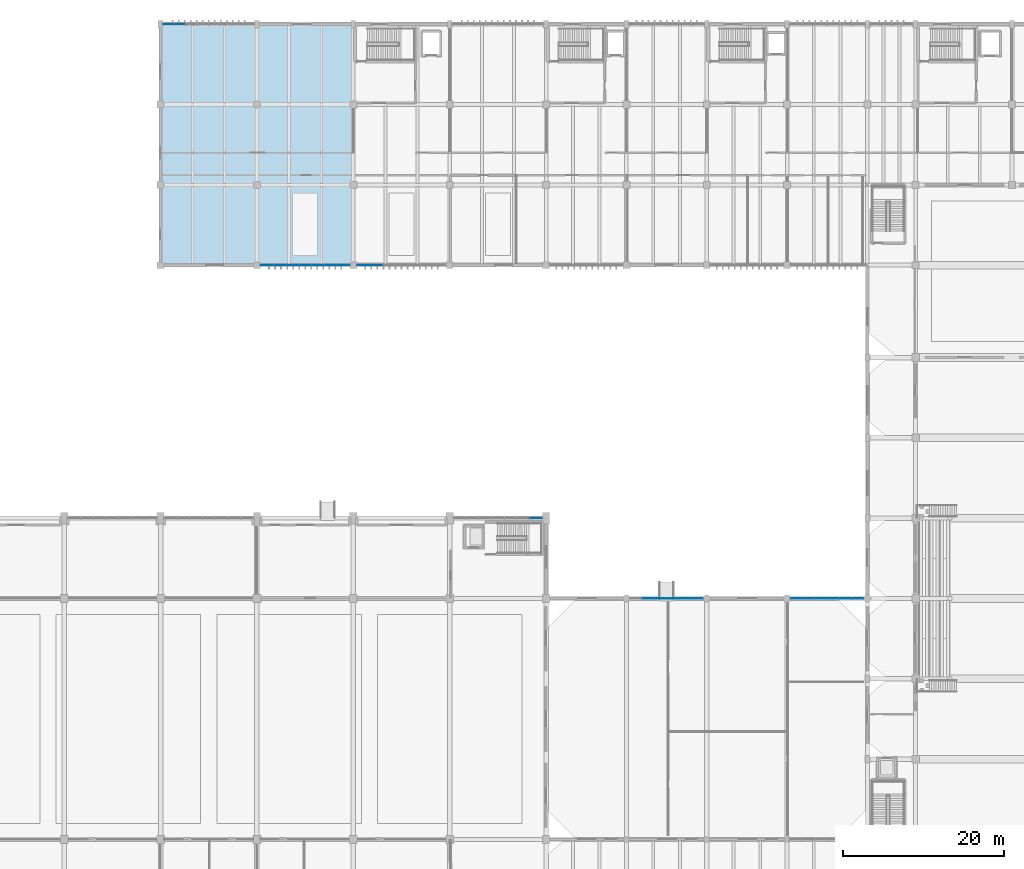
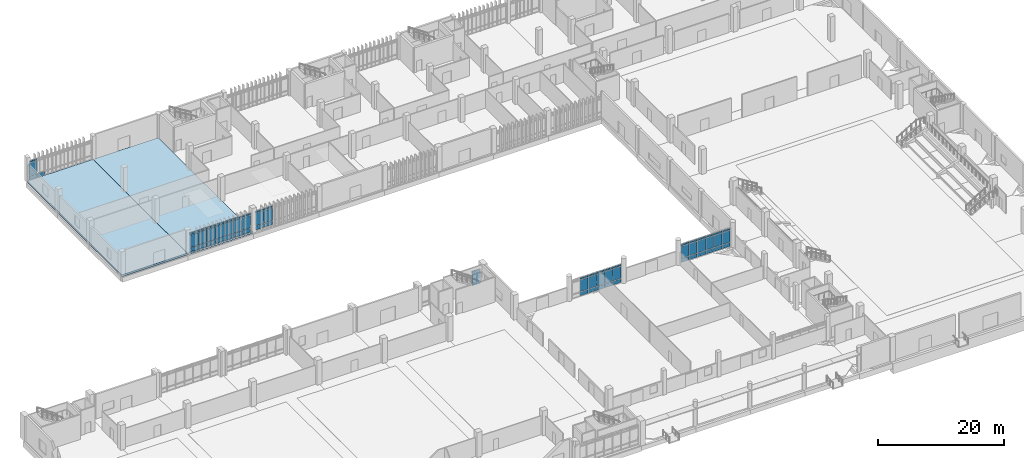
# One storey, part 63 of 87: 66 plates, 2 slabs, 6 elements without a shape of their own.
"""IFC4 building model written with IfcOpenShell, lengths in metres."""

from ifc_helpers import new_model, si_unit, direction, frame, origin, origin_2d, place, context, subcontext, project, spatial, polyline, rectangle, outline, extrude, material, layer, layer_set, type_object, element, aggregate, save


model = new_model("IFC4")

# Units and contexts
model_context = context("Model", 3, precision=1e-05, world=origin(), true_north=direction((0.0, 1.0)))
body_context = subcontext(model_context, "Body", "Model", "MODEL_VIEW")
ifc_project = project(units=[si_unit("LENGTHUNIT", "METRE"), si_unit("AREAUNIT", "SQUARE_METRE"), si_unit("VOLUMEUNIT", "CUBIC_METRE"), si_unit("PLANEANGLEUNIT", "RADIAN"), si_unit("MASSUNIT", "GRAM", prefix="KILO")], contexts=[model_context])

# Site, building, storey
site_placement = place(None, origin())
site = spatial("IfcSite", under=ifc_project, at=site_placement, CompositionType="ELEMENT")
building_placement = place(site_placement, origin())
building = spatial("IfcBuilding", under=site, at=building_placement, Name="Mersad Railyard Sports Hall", CompositionType="ELEMENT")
storey_placement = place(building_placement, origin())
storey = spatial("IfcBuildingStorey", under=building, at=storey_placement, Name="L00", CompositionType="ELEMENT", Elevation=0.0)

# Curtain wall, plates
ifc_material_1 = material(Name="Aluminium 6063-T6", Category="aluminium")
ifc_layer_1 = layer(ifc_material_1, 0.199951171875)
ifc_layer_set_1 = layer_set([ifc_layer_1], Name="Aluminium 6063-T6")
curtain_wall_type_1 = type_object("IfcCurtainWallType", Name="ARC-CW-CW01", PredefinedType="USERDEFINED", material=ifc_layer_set_1)
curtain_wall_1_placement = place(storey_placement, origin())
curtain_wall_1 = element("IfcCurtainWall", 1, at=curtain_wall_1_placement, inside=storey, type_object=curtain_wall_type_1, Name="Curtain wall CW01-0021", ObjectType="CURTAIN WALL", PredefinedType="USERDEFINED")
ifc_material_2 = material(Name="Solar-control glass", Category="glass")
ifc_layer_2 = layer(ifc_material_2, 0.028076171875)
ifc_layer_set_2 = layer_set([ifc_layer_2], Name="Solar-control glass")
plate_type = type_object("IfcPlateType", Name="ARC-CW-PNL01", PredefinedType="CURTAIN_PANEL", material=ifc_layer_set_2)
plate_1_placement = place(storey_placement, frame((89.739990234375, 53.5, 0.89501953125), z_axis=(0.0, 0.0, 1.0), x_axis=(1.0, 0.0, 0.0)))
plate_1 = element("IfcPlate", 2, at=plate_1_placement, type_object=plate_type, Name="CW01 Glazed panel 7-2", PredefinedType="CURTAIN_PANEL", context=body_context, shape_type="SweptSolid", body=[
    extrude(rectangle(XDim=1.535888671875, YDim=0.028076171875, at=origin_2d()), origin(), (0.0, 0.0, 1.0), 2.360107421875),
])
plate_2_placement = place(storey_placement, frame((89.739990234375, 53.5, 3.344970703125), z_axis=(0.0, 0.0, 1.0), x_axis=(1.0, 0.0, 0.0)))
plate_2 = element("IfcPlate", 3, at=plate_2_placement, type_object=plate_type, Name="CW01 Glazed panel 7-3", PredefinedType="CURTAIN_PANEL", context=body_context, shape_type="SweptSolid", body=[
    extrude(rectangle(XDim=1.535888671875, YDim=0.028076171875, at=origin_2d()), origin(), (0.0, 0.0, 1.0), 0.35009765625),
])
aggregate(curtain_wall_1, [plate_1, plate_2])

ifc_layer_3 = layer(ifc_material_1, 0.199951171875)
ifc_layer_set_3 = layer_set([ifc_layer_3], Name="Aluminium 6063-T6")
curtain_wall_type_2 = type_object("IfcCurtainWallType", Name="ARC-CW-CW07", PredefinedType="USERDEFINED", material=ifc_layer_set_3)
curtain_wall_2_placement = place(storey_placement, origin())
curtain_wall_2 = element("IfcCurtainWall", 4, at=curtain_wall_2_placement, inside=storey, type_object=curtain_wall_type_2, Name="Curtain wall CW07-0033", ObjectType="CURTAIN WALL", PredefinedType="USERDEFINED")
plate_3_placement = place(storey_placement, frame((103.735107421875, 43.5, 0.0849609375), z_axis=(0.0, 0.0, 1.0), x_axis=(1.0, 0.0, 0.0)))
plate_3 = element("IfcPlate", 5, at=plate_3_placement, type_object=plate_type, Name="CW07 Glazed panel 2-1", PredefinedType="CURTAIN_PANEL", context=body_context, shape_type="SweptSolid", body=[
    extrude(rectangle(XDim=1.466064453125, YDim=0.028076171875, at=origin_2d()), origin(), (0.0, 0.0, 1.0), 0.719970703125),
])
plate_4_placement = place(storey_placement, frame((103.735107421875, 43.5, 0.89501953125), z_axis=(0.0, 0.0, 1.0), x_axis=(1.0, 0.0, 0.0)))
plate_4 = element("IfcPlate", 6, at=plate_4_placement, type_object=plate_type, Name="CW07 Glazed panel 2-2", PredefinedType="CURTAIN_PANEL", context=body_context, shape_type="SweptSolid", body=[
    extrude(rectangle(XDim=1.466064453125, YDim=0.028076171875, at=origin_2d()), origin(), (0.0, 0.0, 1.0), 2.260009765625),
])
plate_5_placement = place(storey_placement, frame((103.735107421875, 43.5, 3.244873046875), z_axis=(0.0, 0.0, 1.0), x_axis=(1.0, 0.0, 0.0)))
plate_5 = element("IfcPlate", 7, at=plate_5_placement, type_object=plate_type, Name="CW07 Glazed panel 2-3", PredefinedType="CURTAIN_PANEL", context=body_context, shape_type="SweptSolid", body=[
    extrude(rectangle(XDim=1.466064453125, YDim=0.028076171875, at=origin_2d()), origin(), (0.0, 0.0, 1.0), 0.35009765625),
])
plate_6_placement = place(storey_placement, frame((105.2451171875, 43.5, 0.0849609375), z_axis=(0.0, 0.0, 1.0), x_axis=(1.0, 0.0, 0.0)))
plate_6 = element("IfcPlate", 8, at=plate_6_placement, type_object=plate_type, Name="CW07 Glazed panel 3-1", PredefinedType="CURTAIN_PANEL", context=body_context, shape_type="SweptSolid", body=[
    extrude(rectangle(XDim=1.466064453125, YDim=0.028076171875, at=origin_2d()), origin(), (0.0, 0.0, 1.0), 0.719970703125),
])
plate_7_placement = place(storey_placement, frame((105.2451171875, 43.5, 0.89501953125), z_axis=(0.0, 0.0, 1.0), x_axis=(1.0, 0.0, 0.0)))
plate_7 = element("IfcPlate", 9, at=plate_7_placement, type_object=plate_type, Name="CW07 Glazed panel 3-2", PredefinedType="CURTAIN_PANEL", context=body_context, shape_type="SweptSolid", body=[
    extrude(rectangle(XDim=1.466064453125, YDim=0.028076171875, at=origin_2d()), origin(), (0.0, 0.0, 1.0), 2.260009765625),
])
plate_8_placement = place(storey_placement, frame((105.2451171875, 43.5, 3.244873046875), z_axis=(0.0, 0.0, 1.0), x_axis=(1.0, 0.0, 0.0)))
plate_8 = element("IfcPlate", 10, at=plate_8_placement, type_object=plate_type, Name="CW07 Glazed panel 3-3", PredefinedType="CURTAIN_PANEL", context=body_context, shape_type="SweptSolid", body=[
    extrude(rectangle(XDim=1.466064453125, YDim=0.028076171875, at=origin_2d()), origin(), (0.0, 0.0, 1.0), 0.35009765625),
])
plate_9_placement = place(storey_placement, frame((106.7548828125, 43.5, 0.0849609375), z_axis=(0.0, 0.0, 1.0), x_axis=(1.0, 0.0, 0.0)))
plate_9 = element("IfcPlate", 11, at=plate_9_placement, type_object=plate_type, Name="CW07 Glazed panel 4-1", PredefinedType="CURTAIN_PANEL", context=body_context, shape_type="SweptSolid", body=[
    extrude(rectangle(XDim=1.466064453125, YDim=0.028076171875, at=origin_2d()), origin(), (0.0, 0.0, 1.0), 0.719970703125),
])
plate_10_placement = place(storey_placement, frame((106.7548828125, 43.5, 0.89501953125), z_axis=(0.0, 0.0, 1.0), x_axis=(1.0, 0.0, 0.0)))
plate_10 = element("IfcPlate", 12, at=plate_10_placement, type_object=plate_type, Name="CW07 Glazed panel 4-2", PredefinedType="CURTAIN_PANEL", context=body_context, shape_type="SweptSolid", body=[
    extrude(rectangle(XDim=1.466064453125, YDim=0.028076171875, at=origin_2d()), origin(), (0.0, 0.0, 1.0), 2.260009765625),
])
plate_11_placement = place(storey_placement, frame((106.7548828125, 43.5, 3.244873046875), z_axis=(0.0, 0.0, 1.0), x_axis=(1.0, 0.0, 0.0)))
plate_11 = element("IfcPlate", 13, at=plate_11_placement, type_object=plate_type, Name="CW07 Glazed panel 4-3", PredefinedType="CURTAIN_PANEL", context=body_context, shape_type="SweptSolid", body=[
    extrude(rectangle(XDim=1.466064453125, YDim=0.028076171875, at=origin_2d()), origin(), (0.0, 0.0, 1.0), 0.35009765625),
])
plate_12_placement = place(storey_placement, frame((108.264892578125, 43.5, 0.0849609375), z_axis=(0.0, 0.0, 1.0), x_axis=(1.0, 0.0, 0.0)))
plate_12 = element("IfcPlate", 14, at=plate_12_placement, type_object=plate_type, Name="CW07 Glazed panel 5-1", PredefinedType="CURTAIN_PANEL", context=body_context, shape_type="SweptSolid", body=[
    extrude(rectangle(XDim=1.466064453125, YDim=0.028076171875, at=origin_2d()), origin(), (0.0, 0.0, 1.0), 0.719970703125),
])
plate_13_placement = place(storey_placement, frame((108.264892578125, 43.5, 0.89501953125), z_axis=(0.0, 0.0, 1.0), x_axis=(1.0, 0.0, 0.0)))
plate_13 = element("IfcPlate", 15, at=plate_13_placement, type_object=plate_type, Name="CW07 Glazed panel 5-2", PredefinedType="CURTAIN_PANEL", context=body_context, shape_type="SweptSolid", body=[
    extrude(rectangle(XDim=1.466064453125, YDim=0.028076171875, at=origin_2d()), origin(), (0.0, 0.0, 1.0), 2.260009765625),
])
plate_14_placement = place(storey_placement, frame((108.264892578125, 43.5, 3.244873046875), z_axis=(0.0, 0.0, 1.0), x_axis=(1.0, 0.0, 0.0)))
plate_14 = element("IfcPlate", 16, at=plate_14_placement, type_object=plate_type, Name="CW07 Glazed panel 5-3", PredefinedType="CURTAIN_PANEL", context=body_context, shape_type="SweptSolid", body=[
    extrude(rectangle(XDim=1.466064453125, YDim=0.028076171875, at=origin_2d()), origin(), (0.0, 0.0, 1.0), 0.35009765625),
])
plate_15_placement = place(storey_placement, frame((109.77490234375, 43.5, 0.0849609375), z_axis=(0.0, 0.0, 1.0), x_axis=(1.0, 0.0, 0.0)))
plate_15 = element("IfcPlate", 17, at=plate_15_placement, type_object=plate_type, Name="CW07 Glazed panel 6-1", PredefinedType="CURTAIN_PANEL", context=body_context, shape_type="SweptSolid", body=[
    extrude(rectangle(XDim=1.466064453125, YDim=0.028076171875, at=origin_2d()), origin(), (0.0, 0.0, 1.0), 0.719970703125),
])
plate_16_placement = place(storey_placement, frame((109.77490234375, 43.5, 0.89501953125), z_axis=(0.0, 0.0, 1.0), x_axis=(1.0, 0.0, 0.0)))
plate_16 = element("IfcPlate", 18, at=plate_16_placement, type_object=plate_type, Name="CW07 Glazed panel 6-2", PredefinedType="CURTAIN_PANEL", context=body_context, shape_type="SweptSolid", body=[
    extrude(rectangle(XDim=1.466064453125, YDim=0.028076171875, at=origin_2d()), origin(), (0.0, 0.0, 1.0), 2.260009765625),
])
plate_17_placement = place(storey_placement, frame((109.77490234375, 43.5, 3.244873046875), z_axis=(0.0, 0.0, 1.0), x_axis=(1.0, 0.0, 0.0)))
plate_17 = element("IfcPlate", 19, at=plate_17_placement, type_object=plate_type, Name="CW07 Glazed panel 6-3", PredefinedType="CURTAIN_PANEL", context=body_context, shape_type="SweptSolid", body=[
    extrude(rectangle(XDim=1.466064453125, YDim=0.028076171875, at=origin_2d()), origin(), (0.0, 0.0, 1.0), 0.35009765625),
])
aggregate(curtain_wall_2, [plate_3, plate_4, plate_5, plate_6, plate_7, plate_8, plate_9, plate_10, plate_11, plate_12, plate_13, plate_14, plate_15, plate_16, plate_17])

curtain_wall_3_placement = place(storey_placement, origin())
curtain_wall_3 = element("IfcCurtainWall", 20, at=curtain_wall_3_placement, inside=storey, type_object=curtain_wall_type_2, Name="Curtain wall CW07-0035", ObjectType="CURTAIN WALL", PredefinedType="USERDEFINED")
plate_18_placement = place(storey_placement, frame((122.22509765625, 43.5, 0.0849609375), z_axis=(0.0, 0.0, 1.0), x_axis=(1.0, 0.0, 0.0)))
plate_18 = element("IfcPlate", 21, at=plate_18_placement, type_object=plate_type, Name="CW07 Glazed panel 1-1", PredefinedType="CURTAIN_PANEL", context=body_context, shape_type="SweptSolid", body=[
    extrude(rectangle(XDim=1.466064453125, YDim=0.028076171875, at=origin_2d()), origin(), (0.0, 0.0, 1.0), 0.719970703125),
])
plate_19_placement = place(storey_placement, frame((122.22509765625, 43.5, 0.89501953125), z_axis=(0.0, 0.0, 1.0), x_axis=(1.0, 0.0, 0.0)))
plate_19 = element("IfcPlate", 22, at=plate_19_placement, type_object=plate_type, Name="CW07 Glazed panel 1-2", PredefinedType="CURTAIN_PANEL", context=body_context, shape_type="SweptSolid", body=[
    extrude(rectangle(XDim=1.466064453125, YDim=0.028076171875, at=origin_2d()), origin(), (0.0, 0.0, 1.0), 2.260009765625),
])
plate_20_placement = place(storey_placement, frame((122.22509765625, 43.5, 3.244873046875), z_axis=(0.0, 0.0, 1.0), x_axis=(1.0, 0.0, 0.0)))
plate_20 = element("IfcPlate", 23, at=plate_20_placement, type_object=plate_type, Name="CW07 Glazed panel 1-3", PredefinedType="CURTAIN_PANEL", context=body_context, shape_type="SweptSolid", body=[
    extrude(rectangle(XDim=1.466064453125, YDim=0.028076171875, at=origin_2d()), origin(), (0.0, 0.0, 1.0), 0.35009765625),
])
plate_21_placement = place(storey_placement, frame((123.735107421875, 43.5, 0.0849609375), z_axis=(0.0, 0.0, 1.0), x_axis=(1.0, 0.0, 0.0)))
plate_21 = element("IfcPlate", 24, at=plate_21_placement, type_object=plate_type, Name="CW07 Glazed panel 2-1", PredefinedType="CURTAIN_PANEL", context=body_context, shape_type="SweptSolid", body=[
    extrude(rectangle(XDim=1.466064453125, YDim=0.028076171875, at=origin_2d()), origin(), (0.0, 0.0, 1.0), 0.719970703125),
])
plate_22_placement = place(storey_placement, frame((123.735107421875, 43.5, 0.89501953125), z_axis=(0.0, 0.0, 1.0), x_axis=(1.0, 0.0, 0.0)))
plate_22 = element("IfcPlate", 25, at=plate_22_placement, type_object=plate_type, Name="CW07 Glazed panel 2-2", PredefinedType="CURTAIN_PANEL", context=body_context, shape_type="SweptSolid", body=[
    extrude(rectangle(XDim=1.466064453125, YDim=0.028076171875, at=origin_2d()), origin(), (0.0, 0.0, 1.0), 2.260009765625),
])
plate_23_placement = place(storey_placement, frame((123.735107421875, 43.5, 3.244873046875), z_axis=(0.0, 0.0, 1.0), x_axis=(1.0, 0.0, 0.0)))
plate_23 = element("IfcPlate", 26, at=plate_23_placement, type_object=plate_type, Name="CW07 Glazed panel 2-3", PredefinedType="CURTAIN_PANEL", context=body_context, shape_type="SweptSolid", body=[
    extrude(rectangle(XDim=1.466064453125, YDim=0.028076171875, at=origin_2d()), origin(), (0.0, 0.0, 1.0), 0.35009765625),
])
plate_24_placement = place(storey_placement, frame((125.2451171875, 43.5, 0.0849609375), z_axis=(0.0, 0.0, 1.0), x_axis=(1.0, 0.0, 0.0)))
plate_24 = element("IfcPlate", 27, at=plate_24_placement, type_object=plate_type, Name="CW07 Glazed panel 3-1", PredefinedType="CURTAIN_PANEL", context=body_context, shape_type="SweptSolid", body=[
    extrude(rectangle(XDim=1.466064453125, YDim=0.028076171875, at=origin_2d()), origin(), (0.0, 0.0, 1.0), 0.719970703125),
])
plate_25_placement = place(storey_placement, frame((125.2451171875, 43.5, 0.89501953125), z_axis=(0.0, 0.0, 1.0), x_axis=(1.0, 0.0, 0.0)))
plate_25 = element("IfcPlate", 28, at=plate_25_placement, type_object=plate_type, Name="CW07 Glazed panel 3-2", PredefinedType="CURTAIN_PANEL", context=body_context, shape_type="SweptSolid", body=[
    extrude(rectangle(XDim=1.466064453125, YDim=0.028076171875, at=origin_2d()), origin(), (0.0, 0.0, 1.0), 2.260009765625),
])
plate_26_placement = place(storey_placement, frame((125.2451171875, 43.5, 3.244873046875), z_axis=(0.0, 0.0, 1.0), x_axis=(1.0, 0.0, 0.0)))
plate_26 = element("IfcPlate", 29, at=plate_26_placement, type_object=plate_type, Name="CW07 Glazed panel 3-3", PredefinedType="CURTAIN_PANEL", context=body_context, shape_type="SweptSolid", body=[
    extrude(rectangle(XDim=1.466064453125, YDim=0.028076171875, at=origin_2d()), origin(), (0.0, 0.0, 1.0), 0.35009765625),
])
plate_27_placement = place(storey_placement, frame((126.7548828125, 43.5, 0.0849609375), z_axis=(0.0, 0.0, 1.0), x_axis=(1.0, 0.0, 0.0)))
plate_27 = element("IfcPlate", 30, at=plate_27_placement, type_object=plate_type, Name="CW07 Glazed panel 4-1", PredefinedType="CURTAIN_PANEL", context=body_context, shape_type="SweptSolid", body=[
    extrude(rectangle(XDim=1.466064453125, YDim=0.028076171875, at=origin_2d()), origin(), (0.0, 0.0, 1.0), 0.719970703125),
])
plate_28_placement = place(storey_placement, frame((126.7548828125, 43.5, 0.89501953125), z_axis=(0.0, 0.0, 1.0), x_axis=(1.0, 0.0, 0.0)))
plate_28 = element("IfcPlate", 31, at=plate_28_placement, type_object=plate_type, Name="CW07 Glazed panel 4-2", PredefinedType="CURTAIN_PANEL", context=body_context, shape_type="SweptSolid", body=[
    extrude(rectangle(XDim=1.466064453125, YDim=0.028076171875, at=origin_2d()), origin(), (0.0, 0.0, 1.0), 2.260009765625),
])
plate_29_placement = place(storey_placement, frame((126.7548828125, 43.5, 3.244873046875), z_axis=(0.0, 0.0, 1.0), x_axis=(1.0, 0.0, 0.0)))
plate_29 = element("IfcPlate", 32, at=plate_29_placement, type_object=plate_type, Name="CW07 Glazed panel 4-3", PredefinedType="CURTAIN_PANEL", context=body_context, shape_type="SweptSolid", body=[
    extrude(rectangle(XDim=1.466064453125, YDim=0.028076171875, at=origin_2d()), origin(), (0.0, 0.0, 1.0), 0.35009765625),
])
plate_30_placement = place(storey_placement, frame((128.264892578125, 43.5, 0.0849609375), z_axis=(0.0, 0.0, 1.0), x_axis=(1.0, 0.0, 0.0)))
plate_30 = element("IfcPlate", 33, at=plate_30_placement, type_object=plate_type, Name="CW07 Glazed panel 5-1", PredefinedType="CURTAIN_PANEL", context=body_context, shape_type="SweptSolid", body=[
    extrude(rectangle(XDim=1.466064453125, YDim=0.028076171875, at=origin_2d()), origin(), (0.0, 0.0, 1.0), 0.719970703125),
])
plate_31_placement = place(storey_placement, frame((128.264892578125, 43.5, 0.89501953125), z_axis=(0.0, 0.0, 1.0), x_axis=(1.0, 0.0, 0.0)))
plate_31 = element("IfcPlate", 34, at=plate_31_placement, type_object=plate_type, Name="CW07 Glazed panel 5-2", PredefinedType="CURTAIN_PANEL", context=body_context, shape_type="SweptSolid", body=[
    extrude(rectangle(XDim=1.466064453125, YDim=0.028076171875, at=origin_2d()), origin(), (0.0, 0.0, 1.0), 2.260009765625),
])
plate_32_placement = place(storey_placement, frame((128.264892578125, 43.5, 3.244873046875), z_axis=(0.0, 0.0, 1.0), x_axis=(1.0, 0.0, 0.0)))
plate_32 = element("IfcPlate", 35, at=plate_32_placement, type_object=plate_type, Name="CW07 Glazed panel 5-3", PredefinedType="CURTAIN_PANEL", context=body_context, shape_type="SweptSolid", body=[
    extrude(rectangle(XDim=1.466064453125, YDim=0.028076171875, at=origin_2d()), origin(), (0.0, 0.0, 1.0), 0.35009765625),
])
plate_33_placement = place(storey_placement, frame((129.77490234375, 43.5, 0.0849609375), z_axis=(0.0, 0.0, 1.0), x_axis=(1.0, 0.0, 0.0)))
plate_33 = element("IfcPlate", 36, at=plate_33_placement, type_object=plate_type, Name="CW07 Glazed panel 6-1", PredefinedType="CURTAIN_PANEL", context=body_context, shape_type="SweptSolid", body=[
    extrude(rectangle(XDim=1.466064453125, YDim=0.028076171875, at=origin_2d()), origin(), (0.0, 0.0, 1.0), 0.719970703125),
])
plate_34_placement = place(storey_placement, frame((129.77490234375, 43.5, 0.89501953125), z_axis=(0.0, 0.0, 1.0), x_axis=(1.0, 0.0, 0.0)))
plate_34 = element("IfcPlate", 37, at=plate_34_placement, type_object=plate_type, Name="CW07 Glazed panel 6-2", PredefinedType="CURTAIN_PANEL", context=body_context, shape_type="SweptSolid", body=[
    extrude(rectangle(XDim=1.466064453125, YDim=0.028076171875, at=origin_2d()), origin(), (0.0, 0.0, 1.0), 2.260009765625),
])
plate_35_placement = place(storey_placement, frame((129.77490234375, 43.5, 3.244873046875), z_axis=(0.0, 0.0, 1.0), x_axis=(1.0, 0.0, 0.0)))
plate_35 = element("IfcPlate", 38, at=plate_35_placement, type_object=plate_type, Name="CW07 Glazed panel 6-3", PredefinedType="CURTAIN_PANEL", context=body_context, shape_type="SweptSolid", body=[
    extrude(rectangle(XDim=1.466064453125, YDim=0.028076171875, at=origin_2d()), origin(), (0.0, 0.0, 1.0), 0.35009765625),
])
aggregate(curtain_wall_3, [plate_18, plate_19, plate_20, plate_21, plate_22, plate_23, plate_24, plate_25, plate_26, plate_27, plate_28, plate_29, plate_30, plate_31, plate_32, plate_33, plate_34, plate_35])

ifc_layer_4 = layer(ifc_material_1, 0.199951171875)
ifc_layer_set_4 = layer_set([ifc_layer_4], Name="Aluminium 6063-T6")
curtain_wall_type_3 = type_object("IfcCurtainWallType", Name="ARC-CW-CW28", PredefinedType="USERDEFINED", material=ifc_layer_set_4)
curtain_wall_4_placement = place(storey_placement, origin())
curtain_wall_4 = element("IfcCurtainWall", 39, at=curtain_wall_4_placement, inside=storey, type_object=curtain_wall_type_3, Name="Curtain wall CW28-0083", ObjectType="CURTAIN WALL", PredefinedType="USERDEFINED")
plate_36_placement = place(storey_placement, frame((44.030029296875, 115.0, 0.0849609375), z_axis=(0.0, 0.0, 1.0), x_axis=(1.0, 0.0, 0.0)))
plate_36 = element("IfcPlate", 40, at=plate_36_placement, type_object=plate_type, Name="CW28 Glazed panel 1-1", PredefinedType="CURTAIN_PANEL", context=body_context, shape_type="SweptSolid", body=[
    extrude(rectangle(XDim=1.3759765625, YDim=0.028076171875, at=origin_2d()), origin(), (0.0, 0.0, 1.0), 0.719970703125),
])
plate_37_placement = place(storey_placement, frame((44.030029296875, 115.0, 0.89501953125), z_axis=(0.0, 0.0, 1.0), x_axis=(1.0, 0.0, 0.0)))
plate_37 = element("IfcPlate", 41, at=plate_37_placement, type_object=plate_type, Name="CW28 Glazed panel 1-2", PredefinedType="CURTAIN_PANEL", context=body_context, shape_type="SweptSolid", body=[
    extrude(rectangle(XDim=1.3759765625, YDim=0.028076171875, at=origin_2d()), origin(), (0.0, 0.0, 1.0), 2.409912109375),
])
plate_38_placement = place(storey_placement, frame((44.030029296875, 115.0, 3.39501953125), z_axis=(0.0, 0.0, 1.0), x_axis=(1.0, 0.0, 0.0)))
plate_38 = element("IfcPlate", 42, at=plate_38_placement, type_object=plate_type, Name="CW28 Glazed panel 1-3", PredefinedType="CURTAIN_PANEL", context=body_context, shape_type="SweptSolid", body=[
    extrude(rectangle(XDim=1.3759765625, YDim=0.028076171875, at=origin_2d()), origin(), (0.0, 0.0, 1.0), 0.35009765625),
])
plate_39_placement = place(storey_placement, frame((45.449951171875, 115.0, 0.0849609375), z_axis=(0.0, 0.0, 1.0), x_axis=(1.0, 0.0, 0.0)))
plate_39 = element("IfcPlate", 43, at=plate_39_placement, type_object=plate_type, Name="CW28 Glazed panel 2-1", PredefinedType="CURTAIN_PANEL", context=body_context, shape_type="SweptSolid", body=[
    extrude(rectangle(XDim=1.3759765625, YDim=0.028076171875, at=origin_2d()), origin(), (0.0, 0.0, 1.0), 0.719970703125),
])
aggregate(curtain_wall_4, [plate_36, plate_37, plate_38, plate_39])

ifc_layer_5 = layer(ifc_material_1, 0.159912109375)
ifc_layer_set_5 = layer_set([ifc_layer_5], Name="Aluminium 6063-T6")
curtain_wall_type_4 = type_object("IfcCurtainWallType", Name="ARC-CW-CW31", PredefinedType="USERDEFINED", material=ifc_layer_set_5)
curtain_wall_5_placement = place(storey_placement, origin())
curtain_wall_5 = element("IfcCurtainWall", 44, at=curtain_wall_5_placement, inside=storey, type_object=curtain_wall_type_4, Name="Curtain wall CW31-0090", ObjectType="CURTAIN WALL", PredefinedType="USERDEFINED")
plate_40_placement = place(storey_placement, frame((65.761474609375, 85.0, 0.0849609375), z_axis=(0.0, 0.0, 1.0), x_axis=(-1.0, 0.0, 0.0)))
plate_40 = element("IfcPlate", 45, at=plate_40_placement, type_object=plate_type, Name="CW31 Glazed panel 1-1", PredefinedType="CURTAIN_PANEL", context=body_context, shape_type="SweptSolid", body=[
    extrude(rectangle(XDim=1.543212890625, YDim=0.028076171875, at=origin_2d()), origin(), (0.0, 0.0, 1.0), 0.719970703125),
])
plate_41_placement = place(storey_placement, frame((65.761474609375, 85.0, 0.89501953125), z_axis=(0.0, 0.0, 1.0), x_axis=(-1.0, 0.0, 0.0)))
plate_41 = element("IfcPlate", 46, at=plate_41_placement, type_object=plate_type, Name="CW31 Glazed panel 1-2", PredefinedType="CURTAIN_PANEL", context=body_context, shape_type="SweptSolid", body=[
    extrude(rectangle(XDim=1.543212890625, YDim=0.028076171875, at=origin_2d()), origin(), (0.0, 0.0, 1.0), 2.409912109375),
])
plate_42_placement = place(storey_placement, frame((65.761474609375, 85.0, 3.39501953125), z_axis=(0.0, 0.0, 1.0), x_axis=(-1.0, 0.0, 0.0)))
plate_42 = element("IfcPlate", 47, at=plate_42_placement, type_object=plate_type, Name="CW31 Glazed panel 1-3", PredefinedType="CURTAIN_PANEL", context=body_context, shape_type="SweptSolid", body=[
    extrude(rectangle(XDim=1.543212890625, YDim=0.028076171875, at=origin_2d()), origin(), (0.0, 0.0, 1.0), 0.35009765625),
])
plate_43_placement = place(storey_placement, frame((64.17431640625, 85.0, 0.0849609375), z_axis=(0.0, 0.0, 1.0), x_axis=(-1.0, 0.0, 0.0)))
plate_43 = element("IfcPlate", 48, at=plate_43_placement, type_object=plate_type, Name="CW31 Glazed panel 2-1", PredefinedType="CURTAIN_PANEL", context=body_context, shape_type="SweptSolid", body=[
    extrude(rectangle(XDim=1.543212890625, YDim=0.028076171875, at=origin_2d()), origin(), (0.0, 0.0, 1.0), 0.719970703125),
])
plate_44_placement = place(storey_placement, frame((64.17431640625, 85.0, 0.89501953125), z_axis=(0.0, 0.0, 1.0), x_axis=(-1.0, 0.0, 0.0)))
plate_44 = element("IfcPlate", 49, at=plate_44_placement, type_object=plate_type, Name="CW31 Glazed panel 2-2", PredefinedType="CURTAIN_PANEL", context=body_context, shape_type="SweptSolid", body=[
    extrude(rectangle(XDim=1.543212890625, YDim=0.028076171875, at=origin_2d()), origin(), (0.0, 0.0, 1.0), 2.409912109375),
])
plate_45_placement = place(storey_placement, frame((64.17431640625, 85.0, 3.39501953125), z_axis=(0.0, 0.0, 1.0), x_axis=(-1.0, 0.0, 0.0)))
plate_45 = element("IfcPlate", 50, at=plate_45_placement, type_object=plate_type, Name="CW31 Glazed panel 2-3", PredefinedType="CURTAIN_PANEL", context=body_context, shape_type="SweptSolid", body=[
    extrude(rectangle(XDim=1.543212890625, YDim=0.028076171875, at=origin_2d()), origin(), (0.0, 0.0, 1.0), 0.35009765625),
])
plate_46_placement = place(storey_placement, frame((62.587158203125, 85.0, 0.0849609375), z_axis=(0.0, 0.0, 1.0), x_axis=(-1.0, 0.0, 0.0)))
plate_46 = element("IfcPlate", 51, at=plate_46_placement, type_object=plate_type, Name="CW31 Glazed panel 3-1", PredefinedType="CURTAIN_PANEL", context=body_context, shape_type="SweptSolid", body=[
    extrude(rectangle(XDim=1.543212890625, YDim=0.028076171875, at=origin_2d()), origin(), (0.0, 0.0, 1.0), 0.719970703125),
])
plate_47_placement = place(storey_placement, frame((62.587158203125, 85.0, 0.89501953125), z_axis=(0.0, 0.0, 1.0), x_axis=(-1.0, 0.0, 0.0)))
plate_47 = element("IfcPlate", 52, at=plate_47_placement, type_object=plate_type, Name="CW31 Glazed panel 3-2", PredefinedType="CURTAIN_PANEL", context=body_context, shape_type="SweptSolid", body=[
    extrude(rectangle(XDim=1.543212890625, YDim=0.028076171875, at=origin_2d()), origin(), (0.0, 0.0, 1.0), 2.409912109375),
])
plate_48_placement = place(storey_placement, frame((62.587158203125, 85.0, 3.39501953125), z_axis=(0.0, 0.0, 1.0), x_axis=(-1.0, 0.0, 0.0)))
plate_48 = element("IfcPlate", 53, at=plate_48_placement, type_object=plate_type, Name="CW31 Glazed panel 3-3", PredefinedType="CURTAIN_PANEL", context=body_context, shape_type="SweptSolid", body=[
    extrude(rectangle(XDim=1.543212890625, YDim=0.028076171875, at=origin_2d()), origin(), (0.0, 0.0, 1.0), 0.35009765625),
])
plate_49_placement = place(storey_placement, frame((61.0, 85.0, 0.0849609375), z_axis=(0.0, 0.0, 1.0), x_axis=(-1.0, 0.0, 0.0)))
plate_49 = element("IfcPlate", 54, at=plate_49_placement, type_object=plate_type, Name="CW31 Glazed panel 4-1", PredefinedType="CURTAIN_PANEL", context=body_context, shape_type="SweptSolid", body=[
    extrude(rectangle(XDim=1.543212890625, YDim=0.028076171875, at=origin_2d()), origin(), (0.0, 0.0, 1.0), 0.719970703125),
])
plate_50_placement = place(storey_placement, frame((61.0, 85.0, 0.89501953125), z_axis=(0.0, 0.0, 1.0), x_axis=(-1.0, 0.0, 0.0)))
plate_50 = element("IfcPlate", 55, at=plate_50_placement, type_object=plate_type, Name="CW31 Glazed panel 4-2", PredefinedType="CURTAIN_PANEL", context=body_context, shape_type="SweptSolid", body=[
    extrude(rectangle(XDim=1.543212890625, YDim=0.028076171875, at=origin_2d()), origin(), (0.0, 0.0, 1.0), 2.409912109375),
])
plate_51_placement = place(storey_placement, frame((61.0, 85.0, 3.39501953125), z_axis=(0.0, 0.0, 1.0), x_axis=(-1.0, 0.0, 0.0)))
plate_51 = element("IfcPlate", 56, at=plate_51_placement, type_object=plate_type, Name="CW31 Glazed panel 4-3", PredefinedType="CURTAIN_PANEL", context=body_context, shape_type="SweptSolid", body=[
    extrude(rectangle(XDim=1.543212890625, YDim=0.028076171875, at=origin_2d()), origin(), (0.0, 0.0, 1.0), 0.35009765625),
])
plate_52_placement = place(storey_placement, frame((59.412841796875, 85.0, 0.0849609375), z_axis=(0.0, 0.0, 1.0), x_axis=(-1.0, 0.0, 0.0)))
plate_52 = element("IfcPlate", 57, at=plate_52_placement, type_object=plate_type, Name="CW31 Glazed panel 5-1", PredefinedType="CURTAIN_PANEL", context=body_context, shape_type="SweptSolid", body=[
    extrude(rectangle(XDim=1.543212890625, YDim=0.028076171875, at=origin_2d()), origin(), (0.0, 0.0, 1.0), 0.719970703125),
])
plate_53_placement = place(storey_placement, frame((59.412841796875, 85.0, 0.89501953125), z_axis=(0.0, 0.0, 1.0), x_axis=(-1.0, 0.0, 0.0)))
plate_53 = element("IfcPlate", 58, at=plate_53_placement, type_object=plate_type, Name="CW31 Glazed panel 5-2", PredefinedType="CURTAIN_PANEL", context=body_context, shape_type="SweptSolid", body=[
    extrude(rectangle(XDim=1.543212890625, YDim=0.028076171875, at=origin_2d()), origin(), (0.0, 0.0, 1.0), 2.409912109375),
])
plate_54_placement = place(storey_placement, frame((59.412841796875, 85.0, 3.39501953125), z_axis=(0.0, 0.0, 1.0), x_axis=(-1.0, 0.0, 0.0)))
plate_54 = element("IfcPlate", 59, at=plate_54_placement, type_object=plate_type, Name="CW31 Glazed panel 5-3", PredefinedType="CURTAIN_PANEL", context=body_context, shape_type="SweptSolid", body=[
    extrude(rectangle(XDim=1.543212890625, YDim=0.028076171875, at=origin_2d()), origin(), (0.0, 0.0, 1.0), 0.35009765625),
])
plate_55_placement = place(storey_placement, frame((57.82568359375, 85.0, 0.0849609375), z_axis=(0.0, 0.0, 1.0), x_axis=(-1.0, 0.0, 0.0)))
plate_55 = element("IfcPlate", 60, at=plate_55_placement, type_object=plate_type, Name="CW31 Glazed panel 6-1", PredefinedType="CURTAIN_PANEL", context=body_context, shape_type="SweptSolid", body=[
    extrude(rectangle(XDim=1.543212890625, YDim=0.028076171875, at=origin_2d()), origin(), (0.0, 0.0, 1.0), 0.719970703125),
])
plate_56_placement = place(storey_placement, frame((57.82568359375, 85.0, 0.89501953125), z_axis=(0.0, 0.0, 1.0), x_axis=(-1.0, 0.0, 0.0)))
plate_56 = element("IfcPlate", 61, at=plate_56_placement, type_object=plate_type, Name="CW31 Glazed panel 6-2", PredefinedType="CURTAIN_PANEL", context=body_context, shape_type="SweptSolid", body=[
    extrude(rectangle(XDim=1.543212890625, YDim=0.028076171875, at=origin_2d()), origin(), (0.0, 0.0, 1.0), 2.409912109375),
])
plate_57_placement = place(storey_placement, frame((57.82568359375, 85.0, 3.39501953125), z_axis=(0.0, 0.0, 1.0), x_axis=(-1.0, 0.0, 0.0)))
plate_57 = element("IfcPlate", 62, at=plate_57_placement, type_object=plate_type, Name="CW31 Glazed panel 6-3", PredefinedType="CURTAIN_PANEL", context=body_context, shape_type="SweptSolid", body=[
    extrude(rectangle(XDim=1.543212890625, YDim=0.028076171875, at=origin_2d()), origin(), (0.0, 0.0, 1.0), 0.35009765625),
])
plate_58_placement = place(storey_placement, frame((56.238525390625, 85.0, 0.0849609375), z_axis=(0.0, 0.0, 1.0), x_axis=(-1.0, 0.0, 0.0)))
plate_58 = element("IfcPlate", 63, at=plate_58_placement, type_object=plate_type, Name="CW31 Glazed panel 7-1", PredefinedType="CURTAIN_PANEL", context=body_context, shape_type="SweptSolid", body=[
    extrude(rectangle(XDim=1.543212890625, YDim=0.028076171875, at=origin_2d()), origin(), (0.0, 0.0, 1.0), 0.719970703125),
])
plate_59_placement = place(storey_placement, frame((56.238525390625, 85.0, 0.89501953125), z_axis=(0.0, 0.0, 1.0), x_axis=(-1.0, 0.0, 0.0)))
plate_59 = element("IfcPlate", 64, at=plate_59_placement, type_object=plate_type, Name="CW31 Glazed panel 7-2", PredefinedType="CURTAIN_PANEL", context=body_context, shape_type="SweptSolid", body=[
    extrude(rectangle(XDim=1.543212890625, YDim=0.028076171875, at=origin_2d()), origin(), (0.0, 0.0, 1.0), 2.409912109375),
])
plate_60_placement = place(storey_placement, frame((56.238525390625, 85.0, 3.39501953125), z_axis=(0.0, 0.0, 1.0), x_axis=(-1.0, 0.0, 0.0)))
plate_60 = element("IfcPlate", 65, at=plate_60_placement, type_object=plate_type, Name="CW31 Glazed panel 7-3", PredefinedType="CURTAIN_PANEL", context=body_context, shape_type="SweptSolid", body=[
    extrude(rectangle(XDim=1.543212890625, YDim=0.028076171875, at=origin_2d()), origin(), (0.0, 0.0, 1.0), 0.35009765625),
])
aggregate(curtain_wall_5, [plate_40, plate_41, plate_42, plate_43, plate_44, plate_45, plate_46, plate_47, plate_48, plate_49, plate_50, plate_51, plate_52, plate_53, plate_54, plate_55, plate_56, plate_57, plate_58, plate_59, plate_60])

curtain_wall_6_placement = place(storey_placement, origin())
curtain_wall_6 = element("IfcCurtainWall", 66, at=curtain_wall_6_placement, inside=storey, type_object=curtain_wall_type_4, Name="Curtain wall CW31-0091", ObjectType="CURTAIN WALL", PredefinedType="USERDEFINED")
plate_61_placement = place(storey_placement, frame((69.82568359375, 85.0, 0.0849609375), z_axis=(0.0, 0.0, 1.0), x_axis=(-1.0, 0.0, 0.0)))
plate_61 = element("IfcPlate", 67, at=plate_61_placement, type_object=plate_type, Name="CW31 Glazed panel 6-1", PredefinedType="CURTAIN_PANEL", context=body_context, shape_type="SweptSolid", body=[
    extrude(rectangle(XDim=1.543212890625, YDim=0.028076171875, at=origin_2d()), origin(), (0.0, 0.0, 1.0), 0.719970703125),
])
plate_62_placement = place(storey_placement, frame((69.82568359375, 85.0, 0.89501953125), z_axis=(0.0, 0.0, 1.0), x_axis=(-1.0, 0.0, 0.0)))
plate_62 = element("IfcPlate", 68, at=plate_62_placement, type_object=plate_type, Name="CW31 Glazed panel 6-2", PredefinedType="CURTAIN_PANEL", context=body_context, shape_type="SweptSolid", body=[
    extrude(rectangle(XDim=1.543212890625, YDim=0.028076171875, at=origin_2d()), origin(), (0.0, 0.0, 1.0), 2.409912109375),
])
plate_63_placement = place(storey_placement, frame((69.82568359375, 85.0, 3.39501953125), z_axis=(0.0, 0.0, 1.0), x_axis=(-1.0, 0.0, 0.0)))
plate_63 = element("IfcPlate", 69, at=plate_63_placement, type_object=plate_type, Name="CW31 Glazed panel 6-3", PredefinedType="CURTAIN_PANEL", context=body_context, shape_type="SweptSolid", body=[
    extrude(rectangle(XDim=1.543212890625, YDim=0.028076171875, at=origin_2d()), origin(), (0.0, 0.0, 1.0), 0.35009765625),
])
plate_64_placement = place(storey_placement, frame((68.238525390625, 85.0, 0.0849609375), z_axis=(0.0, 0.0, 1.0), x_axis=(-1.0, 0.0, 0.0)))
plate_64 = element("IfcPlate", 70, at=plate_64_placement, type_object=plate_type, Name="CW31 Glazed panel 7-1", PredefinedType="CURTAIN_PANEL", context=body_context, shape_type="SweptSolid", body=[
    extrude(rectangle(XDim=1.543212890625, YDim=0.028076171875, at=origin_2d()), origin(), (0.0, 0.0, 1.0), 0.719970703125),
])
plate_65_placement = place(storey_placement, frame((68.238525390625, 85.0, 0.89501953125), z_axis=(0.0, 0.0, 1.0), x_axis=(-1.0, 0.0, 0.0)))
plate_65 = element("IfcPlate", 71, at=plate_65_placement, type_object=plate_type, Name="CW31 Glazed panel 7-2", PredefinedType="CURTAIN_PANEL", context=body_context, shape_type="SweptSolid", body=[
    extrude(rectangle(XDim=1.543212890625, YDim=0.028076171875, at=origin_2d()), origin(), (0.0, 0.0, 1.0), 2.409912109375),
])
plate_66_placement = place(storey_placement, frame((68.238525390625, 85.0, 3.39501953125), z_axis=(0.0, 0.0, 1.0), x_axis=(-1.0, 0.0, 0.0)))
plate_66 = element("IfcPlate", 72, at=plate_66_placement, type_object=plate_type, Name="CW31 Glazed panel 7-3", PredefinedType="CURTAIN_PANEL", context=body_context, shape_type="SweptSolid", body=[
    extrude(rectangle(XDim=1.543212890625, YDim=0.028076171875, at=origin_2d()), origin(), (0.0, 0.0, 1.0), 0.35009765625),
])
aggregate(curtain_wall_6, [plate_61, plate_62, plate_63, plate_64, plate_65, plate_66])

# Slabs
ifc_material_3 = material(Name="Concrete C50/60", Category="concrete")
ifc_layer_6 = layer(ifc_material_3, 0.35009765625)
ifc_layer_set_6 = layer_set([ifc_layer_6], Name="Concrete C50/60")
slab_type = type_object("IfcSlabType", Name="STR-SL-FL05", PredefinedType="FLOOR", material=ifc_layer_set_6)
slab_1_placement = place(storey_placement, frame((0.0, 0.0, -0.35009765625)))
element("IfcSlab", 73, at=slab_1_placement, inside=storey, type_object=slab_type, Name="Slab SL05-0027", PredefinedType="FLOOR", context=body_context, shape_type="SweptSolid", body=[
    extrude(outline(polyline([(43.0, 85.0), (55.0, 85.0), (55.0, 115.0), (43.0, 115.0), (43.0, 85.0)])), origin(), (0.0, 0.0, 1.0), 0.35009765625),
])
slab_2_placement = place(storey_placement, frame((0.0, 0.0, -0.35009765625)))
element("IfcSlab", 74, at=slab_2_placement, inside=storey, type_object=slab_type, Name="Slab SL05-0028", PredefinedType="FLOOR", context=body_context, shape_type="SweptSolid", body=[
    extrude(outline(polyline([(55.0, 85.0), (67.0, 85.0), (67.0, 115.0), (55.0, 115.0), (55.0, 85.0)])), origin(), (0.0, 0.0, 1.0), 0.35009765625),
])

save(model, "model.ifc")
